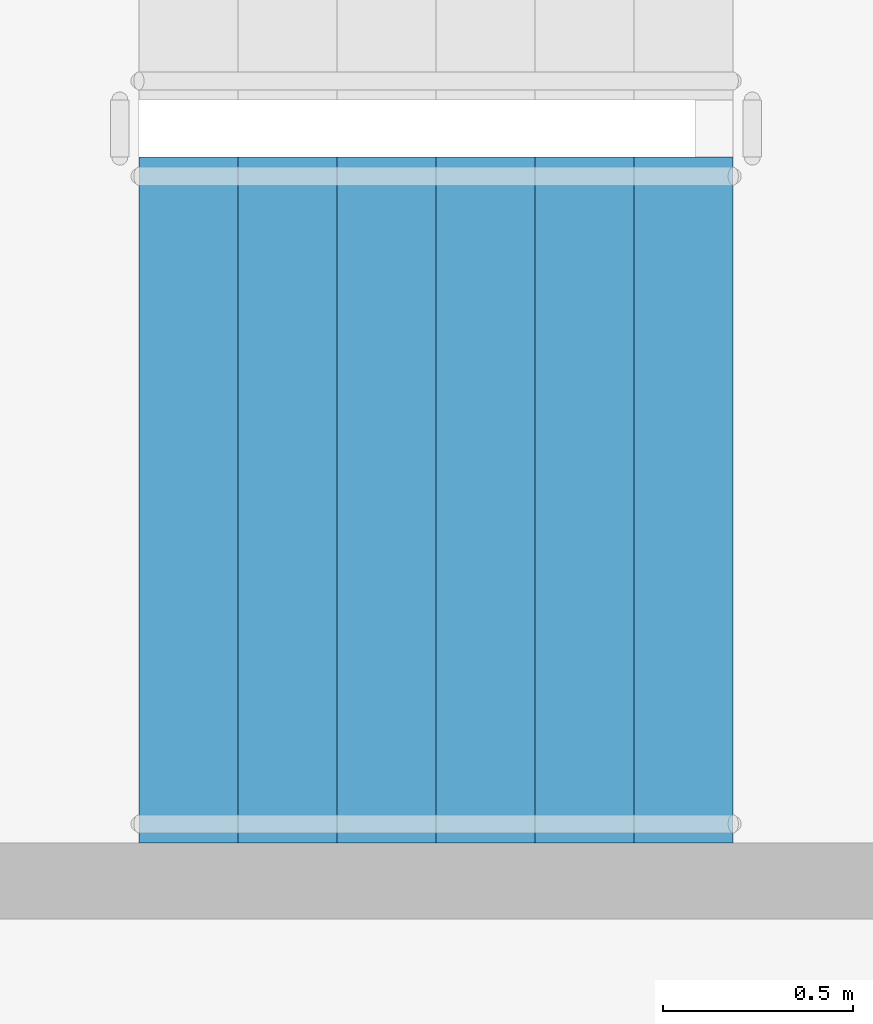
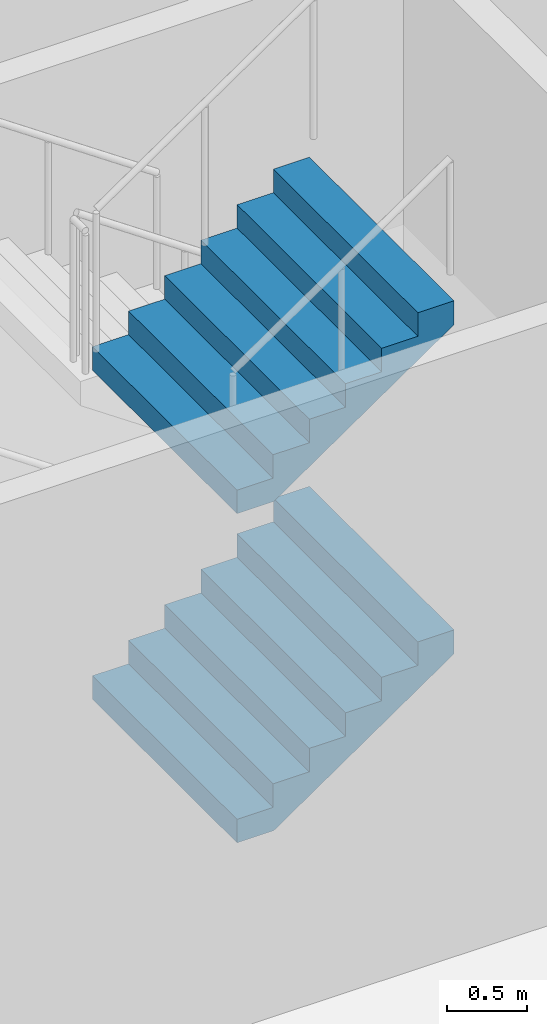
# One storey, part 44 of 59: 2 stair flights, 1 element without a shape of its own.
"""IFC4 building model written with IfcOpenShell, lengths in metres."""

from ifc_helpers import new_model, si_unit, direction, frame, origin, place, context, subcontext, project, spatial, faceted_brep, material, type_object, element, aggregate, save


model = new_model("IFC4")

# Units and contexts
model_context = context("Model", 3, precision=1e-05, world=origin(), true_north=direction((0.0, 1.0)))
body_context = subcontext(model_context, "Body", "Model", "MODEL_VIEW")
ifc_project = project(units=[si_unit("LENGTHUNIT", "METRE"), si_unit("AREAUNIT", "SQUARE_METRE"), si_unit("VOLUMEUNIT", "CUBIC_METRE"), si_unit("PLANEANGLEUNIT", "RADIAN"), si_unit("MASSUNIT", "GRAM", prefix="KILO")], contexts=[model_context])

# Site, building, storey
site_placement = place(None, origin())
site = spatial("IfcSite", under=ifc_project, at=site_placement, CompositionType="ELEMENT")
building_placement = place(site_placement, origin())
building = spatial("IfcBuilding", under=site, at=building_placement, Name="Ipe Terrace Towers", CompositionType="ELEMENT")
storey_placement = place(building_placement, frame((0.0, 0.0, 6.0)))
storey = spatial("IfcBuildingStorey", under=building, at=storey_placement, Name="L01", CompositionType="ELEMENT", Elevation=6.0)

# Stair, stair flights
ifc_material_1 = material(Name="Concrete C30/37", Category="concrete")
stair_type = type_object("IfcStairType", Name="Protected exit stair", PredefinedType="HALF_TURN_STAIR", material=ifc_material_1)
stair_placement = place(storey_placement, origin())
stair = element("IfcStair", 1, at=stair_placement, inside=storey, type_object=stair_type, Name="L01 Podium exit stair PS2", PredefinedType="HALF_TURN_STAIR")
ifc_material_2 = material(Name="Concrete C30/37", Category="concrete")
stair_flight_type = type_object("IfcStairFlightType", Name="Exit stair flight 1800", PredefinedType="STRAIGHT", material=ifc_material_2)
stair_flight_1_placement = place(storey_placement, frame((-2.31005859375, 23.550048828125, 1.25), z_axis=(0.0, 0.0, 1.0), x_axis=(1.0, 0.0, 0.0)))
stair_flight_1 = element("IfcStairFlight", 2, at=stair_flight_1_placement, type_object=stair_flight_type, Name="PS2 flight 2", NumberOfRisers=7, NumberOfTreads=6, PredefinedType="STRAIGHT", RiserHeight=0.178571429, TreadLength=0.26, context=body_context, shape_type="Brep", body=[
    faceted_brep([(0.264892578125, -0.89990234375, 0.0), (1.56005859375, -0.89990234375, 0.8896484375), (1.56005859375, -0.89990234375, 1.071533203125), (1.300048828125, -0.89990234375, 1.071533203125), (1.300048828125, -0.89990234375, 0.892822265625), (1.0400390625, -0.89990234375, 0.892822265625), (1.0400390625, -0.89990234375, 0.71435546875), (0.780029296875, -0.89990234375, 0.71435546875), (0.780029296875, -0.89990234375, 0.53564453125), (0.52001953125, -0.89990234375, 0.53564453125), (0.52001953125, -0.89990234375, 0.357177734375), (0.260009765625, -0.89990234375, 0.357177734375), (0.260009765625, -0.89990234375, 0.178466796875), (0.0, -0.89990234375, 0.178466796875), (0.0, -0.89990234375, 0.0), (0.0, 0.89990234375, 0.0), (0.0, 0.89990234375, 0.178466796875), (0.260009765625, 0.89990234375, 0.178466796875), (0.260009765625, 0.89990234375, 0.357177734375), (0.52001953125, 0.89990234375, 0.357177734375), (0.52001953125, 0.89990234375, 0.53564453125), (0.780029296875, 0.89990234375, 0.53564453125), (0.780029296875, 0.89990234375, 0.71435546875), (1.0400390625, 0.89990234375, 0.71435546875), (1.0400390625, 0.89990234375, 0.892822265625), (1.300048828125, 0.89990234375, 0.892822265625), (1.300048828125, 0.89990234375, 1.071533203125), (1.56005859375, 0.89990234375, 1.071533203125), (1.56005859375, 0.89990234375, 0.8896484375), (0.264892578125, 0.89990234375, 0.0), (0.0, -0.300048828125, 0.178466796875), (0.0, -0.1201171875, 0.178466796875), (0.0, -0.06005859375, 0.178466796875), (0.0, -0.030029296875, 0.178466796875), (0.0, -0.010009765625, 0.178466796875), (0.0, 0.0, 0.178466796875), (0.0, 0.010009765625, 0.178466796875), (0.0, 0.030029296875, 0.178466796875), (0.0, 0.06005859375, 0.178466796875), (0.0, 0.1201171875, 0.178466796875), (0.0, 0.300048828125, 0.178466796875), (0.0, 0.300048828125, 0.0), (0.0, 0.1201171875, 0.0), (0.0, 0.06005859375, 0.0), (0.0, 0.030029296875, 0.0), (0.0, 0.010009765625, 0.0), (0.0, 0.0, 0.0), (0.0, -0.010009765625, 0.0), (0.0, -0.030029296875, 0.0), (0.0, -0.06005859375, 0.0), (0.0, -0.1201171875, 0.0), (0.0, -0.300048828125, 0.0), (0.260009765625, -0.300048828125, 0.178466796875), (0.260009765625, -0.1201171875, 0.178466796875), (0.260009765625, -0.06005859375, 0.178466796875), (0.260009765625, -0.030029296875, 0.178466796875), (0.260009765625, -0.010009765625, 0.178466796875), (0.260009765625, 0.0, 0.178466796875), (0.260009765625, 0.010009765625, 0.178466796875), (0.260009765625, 0.030029296875, 0.178466796875), (0.260009765625, 0.06005859375, 0.178466796875), (0.260009765625, 0.1201171875, 0.178466796875), (0.260009765625, 0.300048828125, 0.178466796875), (0.260009765625, -0.300048828125, 0.357177734375), (0.260009765625, -0.1201171875, 0.357177734375), (0.260009765625, -0.06005859375, 0.357177734375), (0.260009765625, -0.030029296875, 0.357177734375), (0.260009765625, -0.010009765625, 0.357177734375), (0.260009765625, 0.0, 0.357177734375), (0.260009765625, 0.010009765625, 0.357177734375), (0.260009765625, 0.030029296875, 0.357177734375), (0.260009765625, 0.06005859375, 0.357177734375), (0.260009765625, 0.1201171875, 0.357177734375), (0.260009765625, 0.300048828125, 0.357177734375), (0.52001953125, -0.300048828125, 0.357177734375), (0.52001953125, -0.1201171875, 0.357177734375), (0.52001953125, -0.06005859375, 0.357177734375), (0.52001953125, -0.030029296875, 0.357177734375), (0.52001953125, -0.010009765625, 0.357177734375), (0.52001953125, 0.0, 0.357177734375), (0.52001953125, 0.010009765625, 0.357177734375), (0.52001953125, 0.030029296875, 0.357177734375), (0.52001953125, 0.06005859375, 0.357177734375), (0.52001953125, 0.1201171875, 0.357177734375), (0.52001953125, 0.300048828125, 0.357177734375), (0.52001953125, -0.300048828125, 0.53564453125), (0.52001953125, -0.1201171875, 0.53564453125), (0.52001953125, -0.06005859375, 0.53564453125), (0.52001953125, -0.030029296875, 0.53564453125), (0.52001953125, -0.010009765625, 0.53564453125), (0.52001953125, 0.0, 0.53564453125), (0.52001953125, 0.010009765625, 0.53564453125), (0.52001953125, 0.030029296875, 0.53564453125), (0.52001953125, 0.06005859375, 0.53564453125), (0.52001953125, 0.1201171875, 0.53564453125), (0.52001953125, 0.300048828125, 0.53564453125), (0.780029296875, -0.300048828125, 0.53564453125), (0.780029296875, -0.1201171875, 0.53564453125), (0.780029296875, -0.06005859375, 0.53564453125), (0.780029296875, -0.030029296875, 0.53564453125), (0.780029296875, -0.010009765625, 0.53564453125), (0.780029296875, 0.0, 0.53564453125), (0.780029296875, 0.010009765625, 0.53564453125), (0.780029296875, 0.030029296875, 0.53564453125), (0.780029296875, 0.06005859375, 0.53564453125), (0.780029296875, 0.1201171875, 0.53564453125), (0.780029296875, 0.300048828125, 0.53564453125), (0.780029296875, -0.300048828125, 0.71435546875), (0.780029296875, -0.1201171875, 0.71435546875), (0.780029296875, -0.06005859375, 0.71435546875), (0.780029296875, -0.030029296875, 0.71435546875), (0.780029296875, -0.010009765625, 0.71435546875), (0.780029296875, 0.0, 0.71435546875), (0.780029296875, 0.010009765625, 0.71435546875), (0.780029296875, 0.030029296875, 0.71435546875), (0.780029296875, 0.06005859375, 0.71435546875), (0.780029296875, 0.1201171875, 0.71435546875), (0.780029296875, 0.300048828125, 0.71435546875), (1.0400390625, -0.300048828125, 0.71435546875), (1.0400390625, -0.1201171875, 0.71435546875), (1.0400390625, -0.06005859375, 0.71435546875), (1.0400390625, -0.030029296875, 0.71435546875), (1.0400390625, -0.010009765625, 0.71435546875), (1.0400390625, 0.0, 0.71435546875), (1.0400390625, 0.010009765625, 0.71435546875), (1.0400390625, 0.030029296875, 0.71435546875), (1.0400390625, 0.06005859375, 0.71435546875), (1.0400390625, 0.1201171875, 0.71435546875), (1.0400390625, 0.300048828125, 0.71435546875), (1.0400390625, -0.300048828125, 0.892822265625), (1.0400390625, -0.1201171875, 0.892822265625), (1.0400390625, -0.06005859375, 0.892822265625), (1.0400390625, -0.030029296875, 0.892822265625), (1.0400390625, -0.010009765625, 0.892822265625), (1.0400390625, 0.0, 0.892822265625), (1.0400390625, 0.010009765625, 0.892822265625), (1.0400390625, 0.030029296875, 0.892822265625), (1.0400390625, 0.06005859375, 0.892822265625), (1.0400390625, 0.1201171875, 0.892822265625), (1.0400390625, 0.300048828125, 0.892822265625), (1.300048828125, -0.300048828125, 0.892822265625), (1.300048828125, -0.1201171875, 0.892822265625), (1.300048828125, -0.06005859375, 0.892822265625), (1.300048828125, -0.030029296875, 0.892822265625), (1.300048828125, -0.010009765625, 0.892822265625), (1.300048828125, 0.0, 0.892822265625), (1.300048828125, 0.010009765625, 0.892822265625), (1.300048828125, 0.030029296875, 0.892822265625), (1.300048828125, 0.06005859375, 0.892822265625), (1.300048828125, 0.1201171875, 0.892822265625), (1.300048828125, 0.300048828125, 0.892822265625), (1.300048828125, -0.300048828125, 1.071533203125), (1.300048828125, -0.1201171875, 1.071533203125), (1.300048828125, -0.06005859375, 1.071533203125), (1.300048828125, -0.030029296875, 1.071533203125), (1.300048828125, -0.010009765625, 1.071533203125), (1.300048828125, 0.0, 1.071533203125), (1.300048828125, 0.010009765625, 1.071533203125), (1.300048828125, 0.030029296875, 1.071533203125), (1.300048828125, 0.06005859375, 1.071533203125), (1.300048828125, 0.1201171875, 1.071533203125), (1.300048828125, 0.300048828125, 1.071533203125), (1.56005859375, -0.300048828125, 1.071533203125), (1.56005859375, -0.1201171875, 1.071533203125), (1.56005859375, -0.06005859375, 1.071533203125), (1.56005859375, -0.030029296875, 1.071533203125), (1.56005859375, -0.010009765625, 1.071533203125), (1.56005859375, 0.0, 1.071533203125), (1.56005859375, 0.010009765625, 1.071533203125), (1.56005859375, 0.030029296875, 1.071533203125), (1.56005859375, 0.06005859375, 1.071533203125), (1.56005859375, 0.1201171875, 1.071533203125), (1.56005859375, 0.300048828125, 1.071533203125), (1.56005859375, -0.300048828125, 0.8896484375), (1.56005859375, -0.1201171875, 0.8896484375), (1.56005859375, -0.06005859375, 0.8896484375), (1.56005859375, -0.030029296875, 0.8896484375), (1.56005859375, -0.010009765625, 0.8896484375), (1.56005859375, 0.0, 0.8896484375), (1.56005859375, 0.010009765625, 0.8896484375), (1.56005859375, 0.030029296875, 0.8896484375), (1.56005859375, 0.06005859375, 0.8896484375), (1.56005859375, 0.1201171875, 0.8896484375), (1.56005859375, 0.300048828125, 0.8896484375), (0.264892578125, -0.300048828125, 0.0), (0.264892578125, -0.1201171875, 0.0), (0.264892578125, -0.06005859375, 0.0), (0.264892578125, -0.030029296875, 0.0), (0.264892578125, -0.010009765625, 0.0), (0.264892578125, 0.0, 0.0), (0.264892578125, 0.010009765625, 0.0), (0.264892578125, 0.030029296875, 0.0), (0.264892578125, 0.06005859375, 0.0), (0.264892578125, 0.1201171875, 0.0), (0.264892578125, 0.300048828125, 0.0)], [[[0, 1, 2, 3, 4, 5, 6, 7, 8, 9, 10, 11, 12, 13, 14]], [[15, 16, 17, 18, 19, 20, 21, 22, 23, 24, 25, 26, 27, 28, 29]], [[13, 30, 31, 32, 33, 34, 35, 36, 37, 38, 39, 40, 16, 15, 41, 42, 43, 44, 45, 46, 47, 48, 49, 50, 51, 14]], [[12, 52, 53, 54, 55, 56, 57, 58, 59, 60, 61, 62, 17, 16, 40, 39, 38, 37, 36, 35, 34, 33, 32, 31, 30, 13]], [[11, 63, 64, 65, 66, 67, 68, 69, 70, 71, 72, 73, 18, 17, 62, 61, 60, 59, 58, 57, 56, 55, 54, 53, 52, 12]], [[10, 74, 75, 76, 77, 78, 79, 80, 81, 82, 83, 84, 19, 18, 73, 72, 71, 70, 69, 68, 67, 66, 65, 64, 63, 11]], [[9, 85, 86, 87, 88, 89, 90, 91, 92, 93, 94, 95, 20, 19, 84, 83, 82, 81, 80, 79, 78, 77, 76, 75, 74, 10]], [[8, 96, 97, 98, 99, 100, 101, 102, 103, 104, 105, 106, 21, 20, 95, 94, 93, 92, 91, 90, 89, 88, 87, 86, 85, 9]], [[7, 107, 108, 109, 110, 111, 112, 113, 114, 115, 116, 117, 22, 21, 106, 105, 104, 103, 102, 101, 100, 99, 98, 97, 96, 8]], [[6, 118, 119, 120, 121, 122, 123, 124, 125, 126, 127, 128, 23, 22, 117, 116, 115, 114, 113, 112, 111, 110, 109, 108, 107, 7]], [[5, 129, 130, 131, 132, 133, 134, 135, 136, 137, 138, 139, 24, 23, 128, 127, 126, 125, 124, 123, 122, 121, 120, 119, 118, 6]], [[4, 140, 141, 142, 143, 144, 145, 146, 147, 148, 149, 150, 25, 24, 139, 138, 137, 136, 135, 134, 133, 132, 131, 130, 129, 5]], [[3, 151, 152, 153, 154, 155, 156, 157, 158, 159, 160, 161, 26, 25, 150, 149, 148, 147, 146, 145, 144, 143, 142, 141, 140, 4]], [[2, 162, 163, 164, 165, 166, 167, 168, 169, 170, 171, 172, 27, 26, 161, 160, 159, 158, 157, 156, 155, 154, 153, 152, 151, 3]], [[1, 173, 174, 175, 176, 177, 178, 179, 180, 181, 182, 183, 28, 27, 172, 171, 170, 169, 168, 167, 166, 165, 164, 163, 162, 2]], [[0, 184, 185, 186, 187, 188, 189, 190, 191, 192, 193, 194, 29, 28, 183, 182, 181, 180, 179, 178, 177, 176, 175, 174, 173, 1]], [[14, 51, 50, 49, 48, 47, 46, 45, 44, 43, 42, 41, 15, 29, 194, 193, 192, 191, 190, 189, 188, 187, 186, 185, 184, 0]]]),
])
stair_flight_2_placement = place(storey_placement, frame((-2.31005859375, 23.550048828125, 3.75), z_axis=(0.0, 0.0, 1.0), x_axis=(1.0, 0.0, 0.0)))
stair_flight_2 = element("IfcStairFlight", 3, at=stair_flight_2_placement, type_object=stair_flight_type, Name="PS2 flight 4", NumberOfRisers=7, NumberOfTreads=6, PredefinedType="STRAIGHT", RiserHeight=0.178571429, TreadLength=0.26, context=body_context, shape_type="Brep", body=[
    faceted_brep([(0.264892578125, -0.89990234375, 0.0), (1.56005859375, -0.89990234375, 0.8896484375), (1.56005859375, -0.89990234375, 1.071533203125), (1.300048828125, -0.89990234375, 1.071533203125), (1.300048828125, -0.89990234375, 0.892822265625), (1.0400390625, -0.89990234375, 0.892822265625), (1.0400390625, -0.89990234375, 0.71435546875), (0.780029296875, -0.89990234375, 0.71435546875), (0.780029296875, -0.89990234375, 0.53564453125), (0.52001953125, -0.89990234375, 0.53564453125), (0.52001953125, -0.89990234375, 0.357177734375), (0.260009765625, -0.89990234375, 0.357177734375), (0.260009765625, -0.89990234375, 0.178466796875), (0.0, -0.89990234375, 0.178466796875), (0.0, -0.89990234375, 0.0), (0.0, 0.89990234375, 0.0), (0.0, 0.89990234375, 0.178466796875), (0.260009765625, 0.89990234375, 0.178466796875), (0.260009765625, 0.89990234375, 0.357177734375), (0.52001953125, 0.89990234375, 0.357177734375), (0.52001953125, 0.89990234375, 0.53564453125), (0.780029296875, 0.89990234375, 0.53564453125), (0.780029296875, 0.89990234375, 0.71435546875), (1.0400390625, 0.89990234375, 0.71435546875), (1.0400390625, 0.89990234375, 0.892822265625), (1.300048828125, 0.89990234375, 0.892822265625), (1.300048828125, 0.89990234375, 1.071533203125), (1.56005859375, 0.89990234375, 1.071533203125), (1.56005859375, 0.89990234375, 0.8896484375), (0.264892578125, 0.89990234375, 0.0), (0.0, -0.300048828125, 0.178466796875), (0.0, -0.1201171875, 0.178466796875), (0.0, -0.06005859375, 0.178466796875), (0.0, -0.030029296875, 0.178466796875), (0.0, -0.010009765625, 0.178466796875), (0.0, 0.0, 0.178466796875), (0.0, 0.010009765625, 0.178466796875), (0.0, 0.030029296875, 0.178466796875), (0.0, 0.06005859375, 0.178466796875), (0.0, 0.1201171875, 0.178466796875), (0.0, 0.300048828125, 0.178466796875), (0.0, 0.300048828125, 0.0), (0.0, 0.1201171875, 0.0), (0.0, 0.06005859375, 0.0), (0.0, 0.030029296875, 0.0), (0.0, 0.010009765625, 0.0), (0.0, 0.0, 0.0), (0.0, -0.010009765625, 0.0), (0.0, -0.030029296875, 0.0), (0.0, -0.06005859375, 0.0), (0.0, -0.1201171875, 0.0), (0.0, -0.300048828125, 0.0), (0.260009765625, -0.300048828125, 0.178466796875), (0.260009765625, -0.1201171875, 0.178466796875), (0.260009765625, -0.06005859375, 0.178466796875), (0.260009765625, -0.030029296875, 0.178466796875), (0.260009765625, -0.010009765625, 0.178466796875), (0.260009765625, 0.0, 0.178466796875), (0.260009765625, 0.010009765625, 0.178466796875), (0.260009765625, 0.030029296875, 0.178466796875), (0.260009765625, 0.06005859375, 0.178466796875), (0.260009765625, 0.1201171875, 0.178466796875), (0.260009765625, 0.300048828125, 0.178466796875), (0.260009765625, -0.300048828125, 0.357177734375), (0.260009765625, -0.1201171875, 0.357177734375), (0.260009765625, -0.06005859375, 0.357177734375), (0.260009765625, -0.030029296875, 0.357177734375), (0.260009765625, -0.010009765625, 0.357177734375), (0.260009765625, 0.0, 0.357177734375), (0.260009765625, 0.010009765625, 0.357177734375), (0.260009765625, 0.030029296875, 0.357177734375), (0.260009765625, 0.06005859375, 0.357177734375), (0.260009765625, 0.1201171875, 0.357177734375), (0.260009765625, 0.300048828125, 0.357177734375), (0.52001953125, -0.300048828125, 0.357177734375), (0.52001953125, -0.1201171875, 0.357177734375), (0.52001953125, -0.06005859375, 0.357177734375), (0.52001953125, -0.030029296875, 0.357177734375), (0.52001953125, -0.010009765625, 0.357177734375), (0.52001953125, 0.0, 0.357177734375), (0.52001953125, 0.010009765625, 0.357177734375), (0.52001953125, 0.030029296875, 0.357177734375), (0.52001953125, 0.06005859375, 0.357177734375), (0.52001953125, 0.1201171875, 0.357177734375), (0.52001953125, 0.300048828125, 0.357177734375), (0.52001953125, -0.300048828125, 0.53564453125), (0.52001953125, -0.1201171875, 0.53564453125), (0.52001953125, -0.06005859375, 0.53564453125), (0.52001953125, -0.030029296875, 0.53564453125), (0.52001953125, -0.010009765625, 0.53564453125), (0.52001953125, 0.0, 0.53564453125), (0.52001953125, 0.010009765625, 0.53564453125), (0.52001953125, 0.030029296875, 0.53564453125), (0.52001953125, 0.06005859375, 0.53564453125), (0.52001953125, 0.1201171875, 0.53564453125), (0.52001953125, 0.300048828125, 0.53564453125), (0.780029296875, -0.300048828125, 0.53564453125), (0.780029296875, -0.1201171875, 0.53564453125), (0.780029296875, -0.06005859375, 0.53564453125), (0.780029296875, -0.030029296875, 0.53564453125), (0.780029296875, -0.010009765625, 0.53564453125), (0.780029296875, 0.0, 0.53564453125), (0.780029296875, 0.010009765625, 0.53564453125), (0.780029296875, 0.030029296875, 0.53564453125), (0.780029296875, 0.06005859375, 0.53564453125), (0.780029296875, 0.1201171875, 0.53564453125), (0.780029296875, 0.300048828125, 0.53564453125), (0.780029296875, -0.300048828125, 0.71435546875), (0.780029296875, -0.1201171875, 0.71435546875), (0.780029296875, -0.06005859375, 0.71435546875), (0.780029296875, -0.030029296875, 0.71435546875), (0.780029296875, -0.010009765625, 0.71435546875), (0.780029296875, 0.0, 0.71435546875), (0.780029296875, 0.010009765625, 0.71435546875), (0.780029296875, 0.030029296875, 0.71435546875), (0.780029296875, 0.06005859375, 0.71435546875), (0.780029296875, 0.1201171875, 0.71435546875), (0.780029296875, 0.300048828125, 0.71435546875), (1.0400390625, -0.300048828125, 0.71435546875), (1.0400390625, -0.1201171875, 0.71435546875), (1.0400390625, -0.06005859375, 0.71435546875), (1.0400390625, -0.030029296875, 0.71435546875), (1.0400390625, -0.010009765625, 0.71435546875), (1.0400390625, 0.0, 0.71435546875), (1.0400390625, 0.010009765625, 0.71435546875), (1.0400390625, 0.030029296875, 0.71435546875), (1.0400390625, 0.06005859375, 0.71435546875), (1.0400390625, 0.1201171875, 0.71435546875), (1.0400390625, 0.300048828125, 0.71435546875), (1.0400390625, -0.300048828125, 0.892822265625), (1.0400390625, -0.1201171875, 0.892822265625), (1.0400390625, -0.06005859375, 0.892822265625), (1.0400390625, -0.030029296875, 0.892822265625), (1.0400390625, -0.010009765625, 0.892822265625), (1.0400390625, 0.0, 0.892822265625), (1.0400390625, 0.010009765625, 0.892822265625), (1.0400390625, 0.030029296875, 0.892822265625), (1.0400390625, 0.06005859375, 0.892822265625), (1.0400390625, 0.1201171875, 0.892822265625), (1.0400390625, 0.300048828125, 0.892822265625), (1.300048828125, -0.300048828125, 0.892822265625), (1.300048828125, -0.1201171875, 0.892822265625), (1.300048828125, -0.06005859375, 0.892822265625), (1.300048828125, -0.030029296875, 0.892822265625), (1.300048828125, -0.010009765625, 0.892822265625), (1.300048828125, 0.0, 0.892822265625), (1.300048828125, 0.010009765625, 0.892822265625), (1.300048828125, 0.030029296875, 0.892822265625), (1.300048828125, 0.06005859375, 0.892822265625), (1.300048828125, 0.1201171875, 0.892822265625), (1.300048828125, 0.300048828125, 0.892822265625), (1.300048828125, -0.300048828125, 1.071533203125), (1.300048828125, -0.1201171875, 1.071533203125), (1.300048828125, -0.06005859375, 1.071533203125), (1.300048828125, -0.030029296875, 1.071533203125), (1.300048828125, -0.010009765625, 1.071533203125), (1.300048828125, 0.0, 1.071533203125), (1.300048828125, 0.010009765625, 1.071533203125), (1.300048828125, 0.030029296875, 1.071533203125), (1.300048828125, 0.06005859375, 1.071533203125), (1.300048828125, 0.1201171875, 1.071533203125), (1.300048828125, 0.300048828125, 1.071533203125), (1.56005859375, -0.300048828125, 1.071533203125), (1.56005859375, -0.1201171875, 1.071533203125), (1.56005859375, -0.06005859375, 1.071533203125), (1.56005859375, -0.030029296875, 1.071533203125), (1.56005859375, -0.010009765625, 1.071533203125), (1.56005859375, 0.0, 1.071533203125), (1.56005859375, 0.010009765625, 1.071533203125), (1.56005859375, 0.030029296875, 1.071533203125), (1.56005859375, 0.06005859375, 1.071533203125), (1.56005859375, 0.1201171875, 1.071533203125), (1.56005859375, 0.300048828125, 1.071533203125), (1.56005859375, -0.300048828125, 0.8896484375), (1.56005859375, -0.1201171875, 0.8896484375), (1.56005859375, -0.06005859375, 0.8896484375), (1.56005859375, -0.030029296875, 0.8896484375), (1.56005859375, -0.010009765625, 0.8896484375), (1.56005859375, 0.0, 0.8896484375), (1.56005859375, 0.010009765625, 0.8896484375), (1.56005859375, 0.030029296875, 0.8896484375), (1.56005859375, 0.06005859375, 0.8896484375), (1.56005859375, 0.1201171875, 0.8896484375), (1.56005859375, 0.300048828125, 0.8896484375), (0.264892578125, -0.300048828125, 0.0), (0.264892578125, -0.1201171875, 0.0), (0.264892578125, -0.06005859375, 0.0), (0.264892578125, -0.030029296875, 0.0), (0.264892578125, -0.010009765625, 0.0), (0.264892578125, 0.0, 0.0), (0.264892578125, 0.010009765625, 0.0), (0.264892578125, 0.030029296875, 0.0), (0.264892578125, 0.06005859375, 0.0), (0.264892578125, 0.1201171875, 0.0), (0.264892578125, 0.300048828125, 0.0)], [[[0, 1, 2, 3, 4, 5, 6, 7, 8, 9, 10, 11, 12, 13, 14]], [[15, 16, 17, 18, 19, 20, 21, 22, 23, 24, 25, 26, 27, 28, 29]], [[13, 30, 31, 32, 33, 34, 35, 36, 37, 38, 39, 40, 16, 15, 41, 42, 43, 44, 45, 46, 47, 48, 49, 50, 51, 14]], [[12, 52, 53, 54, 55, 56, 57, 58, 59, 60, 61, 62, 17, 16, 40, 39, 38, 37, 36, 35, 34, 33, 32, 31, 30, 13]], [[11, 63, 64, 65, 66, 67, 68, 69, 70, 71, 72, 73, 18, 17, 62, 61, 60, 59, 58, 57, 56, 55, 54, 53, 52, 12]], [[10, 74, 75, 76, 77, 78, 79, 80, 81, 82, 83, 84, 19, 18, 73, 72, 71, 70, 69, 68, 67, 66, 65, 64, 63, 11]], [[9, 85, 86, 87, 88, 89, 90, 91, 92, 93, 94, 95, 20, 19, 84, 83, 82, 81, 80, 79, 78, 77, 76, 75, 74, 10]], [[8, 96, 97, 98, 99, 100, 101, 102, 103, 104, 105, 106, 21, 20, 95, 94, 93, 92, 91, 90, 89, 88, 87, 86, 85, 9]], [[7, 107, 108, 109, 110, 111, 112, 113, 114, 115, 116, 117, 22, 21, 106, 105, 104, 103, 102, 101, 100, 99, 98, 97, 96, 8]], [[6, 118, 119, 120, 121, 122, 123, 124, 125, 126, 127, 128, 23, 22, 117, 116, 115, 114, 113, 112, 111, 110, 109, 108, 107, 7]], [[5, 129, 130, 131, 132, 133, 134, 135, 136, 137, 138, 139, 24, 23, 128, 127, 126, 125, 124, 123, 122, 121, 120, 119, 118, 6]], [[4, 140, 141, 142, 143, 144, 145, 146, 147, 148, 149, 150, 25, 24, 139, 138, 137, 136, 135, 134, 133, 132, 131, 130, 129, 5]], [[3, 151, 152, 153, 154, 155, 156, 157, 158, 159, 160, 161, 26, 25, 150, 149, 148, 147, 146, 145, 144, 143, 142, 141, 140, 4]], [[2, 162, 163, 164, 165, 166, 167, 168, 169, 170, 171, 172, 27, 26, 161, 160, 159, 158, 157, 156, 155, 154, 153, 152, 151, 3]], [[1, 173, 174, 175, 176, 177, 178, 179, 180, 181, 182, 183, 28, 27, 172, 171, 170, 169, 168, 167, 166, 165, 164, 163, 162, 2]], [[0, 184, 185, 186, 187, 188, 189, 190, 191, 192, 193, 194, 29, 28, 183, 182, 181, 180, 179, 178, 177, 176, 175, 174, 173, 1]], [[14, 51, 50, 49, 48, 47, 46, 45, 44, 43, 42, 41, 15, 29, 194, 193, 192, 191, 190, 189, 188, 187, 186, 185, 184, 0]]]),
])
aggregate(stair, [stair_flight_1, stair_flight_2])

save(model, "model.ifc")
